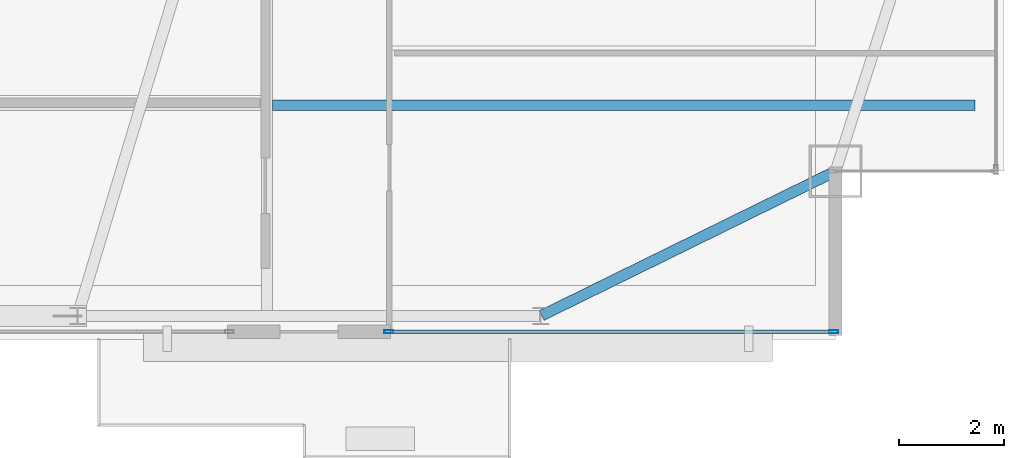
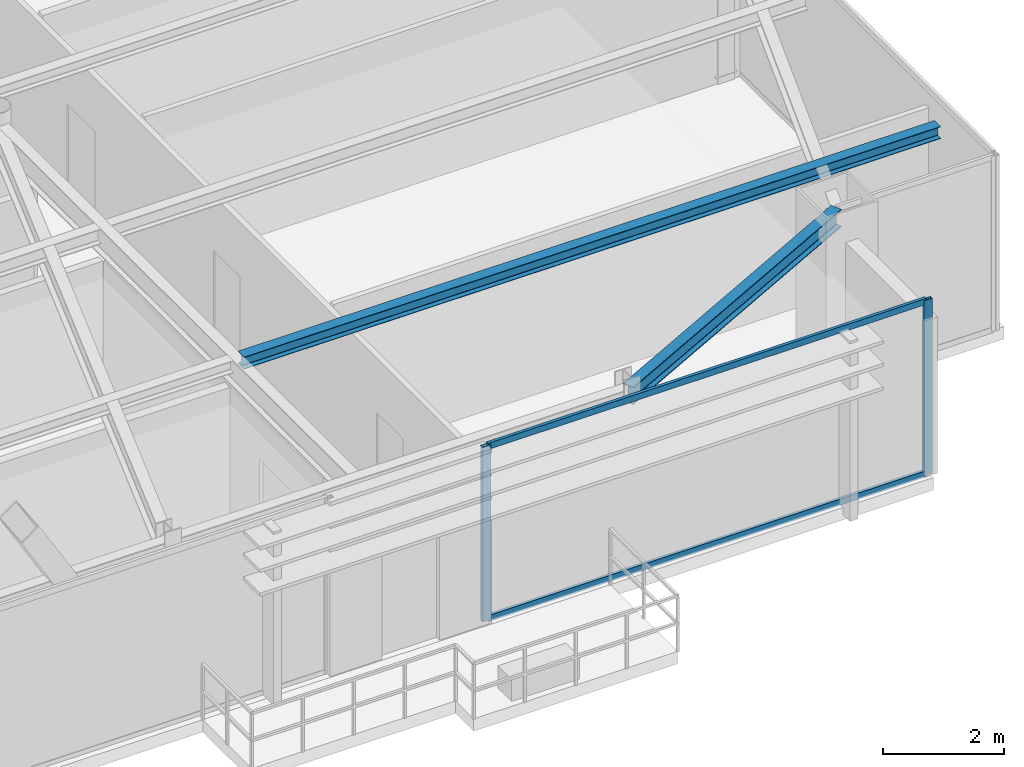
# One storey, part 11 of 25: 4 members, 2 beams, 1 element without a shape of its own.
"""IFC4 building model written with IfcOpenShell, lengths in metres."""

from ifc_helpers import new_model, si_unit, direction, frame, origin, origin_2d, place, context, subcontext, project, spatial, hollow_rectangle, i_section, extrude, source, transform, mapped, material, layer, layer_set, material_profile, profile_set, type_object, type_shapes, element, aggregate, save


model = new_model("IFC4")

# Units and contexts
model_context = context("Model", 3, precision=1e-05, world=origin(), true_north=direction((0.0, 1.0)))
body_context = subcontext(model_context, "Body", "Model", "MODEL_VIEW")
ifc_project = project(units=[si_unit("LENGTHUNIT", "METRE"), si_unit("AREAUNIT", "SQUARE_METRE"), si_unit("VOLUMEUNIT", "CUBIC_METRE"), si_unit("PLANEANGLEUNIT", "RADIAN"), si_unit("MASSUNIT", "GRAM", prefix="KILO")], contexts=[model_context])

# Site, building, storey
site_placement = place(None, origin())
site = spatial("IfcSite", under=ifc_project, at=site_placement, CompositionType="ELEMENT")
building_placement = place(site_placement, origin())
building = spatial("IfcBuilding", under=site, at=building_placement, Name="Varnel Quay Broadcast Tower", CompositionType="ELEMENT")
storey_placement = place(building_placement, frame((0.0, 0.0, 273.60009765625)))
storey = spatial("IfcBuildingStorey", under=building, at=storey_placement, Name="L68", CompositionType="ELEMENT", Elevation=273.60009765625)

# Beams
ifc_material_1 = material(Name="Structural Steel CSA G40.21 350W", Category="steel")
ifc_material_profile_1 = material_profile(ifc_material_1, i_section(OverallWidth=0.205078125, OverallDepth=0.35400390625, WebThickness=0.009521484375, FlangeThickness=0.016845703125, FilletRadius=0.012939453125, at=origin_2d()), Name="W360X79")
ifc_profile_set_1 = profile_set([ifc_material_profile_1], Name="Structural Steel CSA G40.21 350W")
beam_type_1 = type_object("IfcBeamType", Name="Beam_W360X79", PredefinedType="SPANDREL", material=ifc_profile_set_1)
shared_shape_1 = source(origin(), body_context, "Body", "SweptSolid", [
    extrude(i_section(OverallWidth=0.205078125, OverallDepth=0.35400390625, WebThickness=0.009521484375, FlangeThickness=0.016845703125, FilletRadius=0.012939453125, at=origin_2d()), origin(), (0.0, 0.0, 1.0), 6.19873046875),
])
type_shapes(beam_type_1, [shared_shape_1])
beam_1_placement = place(storey_placement, frame((47.218017578125, 13.65869140625, 3.372802734375), z_axis=(0.897602447358, 0.440805905697, 0.0), x_axis=(-0.440805905697, 0.897602447358, 0.0)))
element("IfcBeam", 1, at=beam_1_placement, inside=storey, type_object=beam_type_1, Name="L68 South Spandrel TC-S4-MC-SE", PredefinedType="SPANDREL", context=body_context, shape_type="MappedRepresentation", body=[
    mapped(shared_shape_1, transform((0.0, 0.0, 0.0), x_axis=(1.0, 0.0, 0.0), y_axis=(0.0, 1.0, 0.0), z_axis=(0.0, 0.0, 1.0), scale=1.0)),
])
ifc_material_profile_2 = material_profile(ifc_material_1, i_section(OverallWidth=0.201904296875, OverallDepth=0.2470703125, WebThickness=0.00732421875, FlangeThickness=0.010986328125, FilletRadius=0.010986328125, at=origin_2d()), Name="W250X49")
ifc_profile_set_2 = profile_set([ifc_material_profile_2], Name="Structural Steel CSA G40.21 350W")
beam_type_2 = type_object("IfcBeamType", Name="Beam_W250X49", PredefinedType="JOIST", material=ifc_profile_set_2)
shared_shape_2 = source(origin(), body_context, "Body", "SweptSolid", [
    extrude(i_section(OverallWidth=0.201904296875, OverallDepth=0.2470703125, WebThickness=0.00732421875, FlangeThickness=0.010986328125, FilletRadius=0.010986328125, at=origin_2d()), origin(), (0.0, 0.0, 1.0), 13.351318359375),
])
type_shapes(beam_type_2, [shared_shape_2])
beam_2_placement = place(storey_placement, frame((42.10107421875, 17.64990234375, 3.426513671875), z_axis=(1.0, 0.0, 0.0), x_axis=(0.0, 1.0, 0.0)))
element("IfcBeam", 2, at=beam_2_placement, inside=storey, type_object=beam_type_2, Name="L68 East Floor Joist 1", PredefinedType="JOIST", context=body_context, shape_type="MappedRepresentation", body=[
    mapped(shared_shape_2, transform((0.0, 0.0, 0.0), x_axis=(1.0, 0.0, 0.0), y_axis=(0.0, 1.0, 0.0), z_axis=(0.0, 0.0, 1.0), scale=1.0)),
])

# Curtain wall, members
ifc_material_2 = material(Name="Anodised Bronze Aluminium 6063-T6", Category="aluminium")
ifc_layer = layer(ifc_material_2, 0.18994140625, Name="Anodised Bronze Aluminium 6063-T6")
ifc_layer_set = layer_set([ifc_layer], Name="Anodised Bronze Aluminium 6063-T6")
curtain_wall_type = type_object("IfcCurtainWallType", Name="CW_UpperTower", PredefinedType="NOTDEFINED", material=ifc_layer_set)
curtain_wall_placement = place(storey_placement, origin())
curtain_wall = element("IfcCurtainWall", 3, at=curtain_wall_placement, inside=storey, type_object=curtain_wall_type, Name="L68 South Unitised Curtain Wall 3", PredefinedType="NOTDEFINED")
ifc_material_profile_3 = material_profile(ifc_material_2, hollow_rectangle(XDim=0.06494140625, YDim=0.1650390625, WallThickness=0.00341796875, at=origin_2d()), Name="ALU65X165X3.5")
ifc_profile_set_3 = profile_set([ifc_material_profile_3], Name="Anodised Bronze Aluminium 6063-T6")
member_type_1 = type_object("IfcMemberType", Name="Mull_CWS-03", PredefinedType="MULLION", material=ifc_profile_set_3)
shared_shape_3 = source(origin(), body_context, "Body", "SweptSolid", [
    extrude(hollow_rectangle(XDim=0.06494140625, YDim=0.1650390625, WallThickness=0.00341796875, at=origin_2d()), origin(), (0.0, 0.0, 1.0), 3.5498046875),
])
type_shapes(member_type_1, [shared_shape_3])
member_1_placement = place(storey_placement, frame((44.3125, 13.35009765625, 0.0), z_axis=(0.0, 0.0, 1.0), x_axis=(0.0, 1.0, 0.0)))
member_1 = element("IfcMember", 4, at=member_1_placement, type_object=member_type_1, Name="CWS-03 mullion 1", PredefinedType="MULLION", context=body_context, shape_type="MappedRepresentation", body=[
    mapped(shared_shape_3, transform((0.0, 0.0, 0.0), x_axis=(1.0, 0.0, 0.0), y_axis=(0.0, 1.0, 0.0), z_axis=(0.0, 0.0, 1.0), scale=1.0)),
])
member_2_placement = place(storey_placement, frame((52.767578125, 13.35009765625, 0.0), z_axis=(0.0, 0.0, 1.0), x_axis=(0.0, 1.0, 0.0)))
member_2 = element("IfcMember", 5, at=member_2_placement, type_object=member_type_1, Name="CWS-03 mullion 2", PredefinedType="MULLION", context=body_context, shape_type="MappedRepresentation", body=[
    mapped(shared_shape_3, transform((0.0, 0.0, 0.0), x_axis=(1.0, 0.0, 0.0), y_axis=(0.0, 1.0, 0.0), z_axis=(0.0, 0.0, 1.0), scale=1.0)),
])
ifc_material_profile_4 = material_profile(ifc_material_2, hollow_rectangle(XDim=0.06005859375, YDim=0.125, WallThickness=0.0029296875, at=origin_2d()), Name="ALU60X125X3")
ifc_profile_set_4 = profile_set([ifc_material_profile_4], Name="Anodised Bronze Aluminium 6063-T6")
member_type_2 = type_object("IfcMemberType", Name="Tran_CWS-03", PredefinedType="USERDEFINED", material=ifc_profile_set_4)
shared_shape_4 = source(origin(), body_context, "Body", "SweptSolid", [
    extrude(hollow_rectangle(XDim=0.06005859375, YDim=0.125, WallThickness=0.0029296875, at=origin_2d()), origin(), (0.0, 0.0, 1.0), 8.39013671875),
])
type_shapes(member_type_2, [shared_shape_4])
member_3_placement = place(storey_placement, frame((44.344970703125, 13.35009765625, 0.02978515625), z_axis=(1.0, 0.0, 0.0), x_axis=(0.0, 1.0, 0.0)))
member_3 = element("IfcMember", 6, at=member_3_placement, type_object=member_type_2, Name="CWS-03 transom 1.1", ObjectType="TRANSOM", PredefinedType="USERDEFINED", context=body_context, shape_type="MappedRepresentation", body=[
    mapped(shared_shape_4, transform((0.0, 0.0, 0.0), x_axis=(1.0, 0.0, 0.0), y_axis=(0.0, 1.0, 0.0), z_axis=(0.0, 0.0, 1.0), scale=1.0)),
])
member_4_placement = place(storey_placement, frame((44.344970703125, 13.35009765625, 3.52001953125), z_axis=(1.0, 0.0, 0.0), x_axis=(0.0, 1.0, 0.0)))
member_4 = element("IfcMember", 7, at=member_4_placement, type_object=member_type_2, Name="CWS-03 transom 1.2", ObjectType="TRANSOM", PredefinedType="USERDEFINED", context=body_context, shape_type="MappedRepresentation", body=[
    mapped(shared_shape_4, transform((0.0, 0.0, 0.0), x_axis=(1.0, 0.0, 0.0), y_axis=(0.0, 1.0, 0.0), z_axis=(0.0, 0.0, 1.0), scale=1.0)),
])
aggregate(curtain_wall, [member_1, member_2, member_3, member_4])

save(model, "model.ifc")
